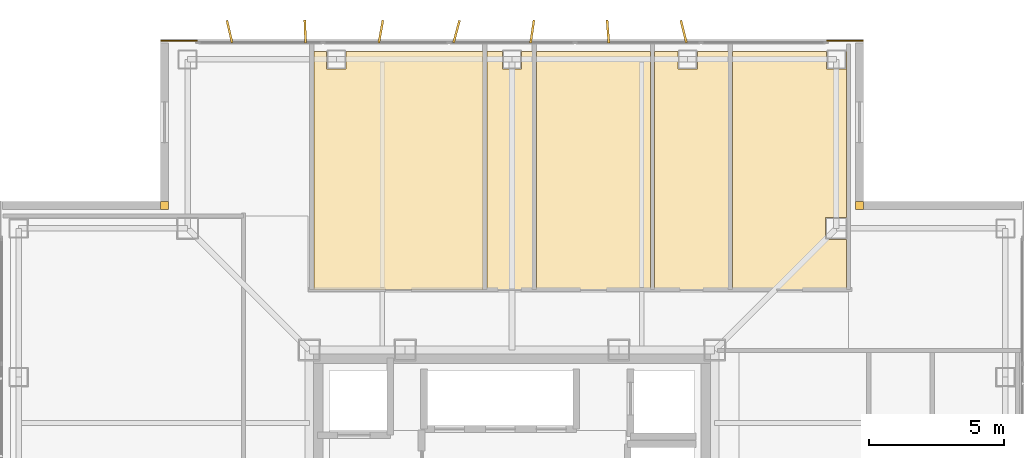
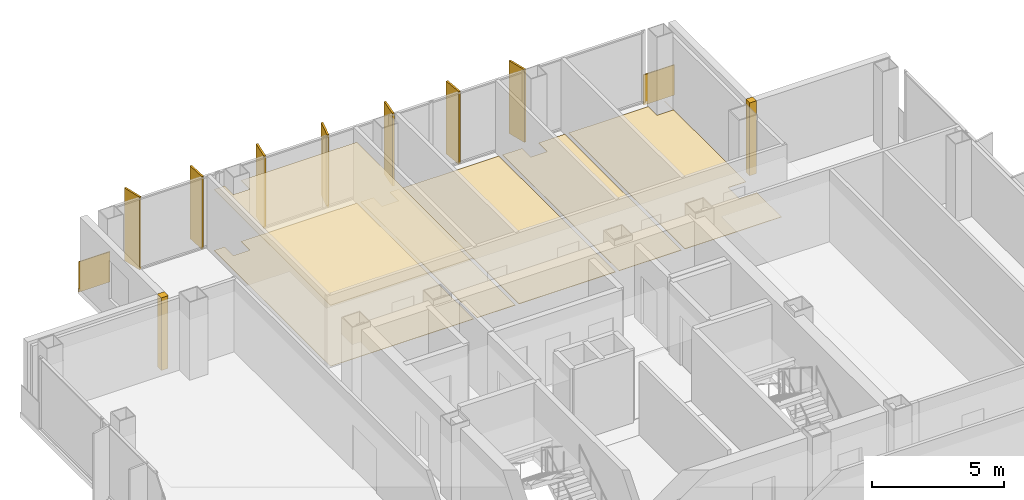
# One storey, part 15 of 15: 10 coverings, 7 shading devices.
"""IFC4 building model written with IfcOpenShell, lengths in metres."""

from ifc_helpers import new_model, si_unit, direction, frame, frame_2d, origin, origin_2d, place, context, subcontext, project, spatial, polyline, rectangle, outline, extrude, material, layer, layer_set, type_object, element, save


model = new_model("IFC4")

# Units and contexts
model_context = context("Model", 3, precision=1e-05, world=origin(), true_north=direction((0.0, 1.0)))
body_context = subcontext(model_context, "Body", "Model", "MODEL_VIEW")
ifc_project = project(units=[si_unit("LENGTHUNIT", "METRE"), si_unit("AREAUNIT", "SQUARE_METRE"), si_unit("VOLUMEUNIT", "CUBIC_METRE"), si_unit("PLANEANGLEUNIT", "RADIAN"), si_unit("MASSUNIT", "GRAM", prefix="KILO")], contexts=[model_context])

# Site, building, storey
site_placement = place(None, origin())
site = spatial("IfcSite", under=ifc_project, at=site_placement, CompositionType="ELEMENT")
building_placement = place(site_placement, origin())
building = spatial("IfcBuilding", under=site, at=building_placement, Name="Trevonay Congress Spire", CompositionType="ELEMENT")
storey_placement = place(building_placement, frame((0.0, 0.0, 272.0)))
storey = spatial("IfcBuildingStorey", under=building, at=storey_placement, Name="L71", CompositionType="ELEMENT", Elevation=272.0)

# Coverings
ifc_material_1 = material(Name="Acoustic Mineral Fibre Board", Category="gypsum")
ifc_layer_1 = layer(ifc_material_1, 0.02490234375, Name="Acoustic Mineral Fibre Board")
ifc_layer_set_1 = layer_set([ifc_layer_1], Name="Acoustic Mineral Fibre Board")
covering_type_1 = type_object("IfcCoveringType", Name="COV-CEIL-ACOUSTIC", PredefinedType="CEILING", material=ifc_layer_set_1)
covering_1_placement = place(storey_placement, frame((0.0, 0.0, 2.81005859375)))
element("IfcCovering", 1, at=covering_1_placement, inside=storey, type_object=covering_type_1, Name="L71 North Sky Conservatory Lounge acoustic suspended ceiling", PredefinedType="CEILING", context=body_context, shape_type="SweptSolid", body=[
    extrude(outline(polyline([(-1.080078125, 18.550048828125), (-1.080078125, 9.72998046875), (-7.320068359375, 9.72998046875), (-7.320068359375, 18.550048828125), (-6.860107421875, 18.550048828125), (-6.860107421875, 17.889892578125), (-6.139892578125, 17.889892578125), (-6.139892578125, 18.550048828125), (-1.080078125, 18.550048828125)])), origin(), (0.0, 0.0, 1.0), 0.02490234375),
])
ifc_material_2 = material(Name="Polished Granite Floor Tile", Category="masonry")
ifc_layer_2 = layer(ifc_material_2, 0.02001953125, Name="Polished Granite Floor Tile")
ifc_layer_set_2 = layer_set([ifc_layer_2], Name="Polished Granite Floor Tile")
covering_type_2 = type_object("IfcCoveringType", Name="COV-FLOOR-STONE", PredefinedType="FLOORING", material=ifc_layer_set_2)
covering_2_placement = place(storey_placement, origin())
element("IfcCovering", 2, at=covering_2_placement, inside=storey, type_object=covering_type_2, Name="L71 Accessible WC floor finish", PredefinedType="FLOORING", context=body_context, shape_type="SweptSolid", body=[
    extrude(outline(polyline([(0.75, 18.550048828125), (0.75, 9.72998046875), (-0.919921875, 9.72998046875), (-0.919921875, 18.550048828125), (-0.360107421875, 18.550048828125), (-0.360107421875, 17.889892578125), (0.360107421875, 17.889892578125), (0.360107421875, 18.550048828125), (0.75, 18.550048828125)])), origin(), (0.0, 0.0, 1.0), 0.02001953125),
])
covering_3_placement = place(storey_placement, origin())
element("IfcCovering", 3, at=covering_3_placement, inside=storey, type_object=covering_type_2, Name="L71 Floor Supplies and Copy Room floor finish", PredefinedType="FLOORING", context=body_context, shape_type="SweptSolid", body=[
    extrude(outline(polyline([(0.909912109375, 9.72998046875), (5.1201171875, 9.72998046875), (5.1201171875, 18.550048828125), (0.909912109375, 18.550048828125), (0.909912109375, 9.72998046875)])), origin(), (0.0, 0.0, 1.0), 0.02001953125),
])
covering_4_placement = place(storey_placement, origin())
element("IfcCovering", 4, at=covering_4_placement, inside=storey, type_object=covering_type_2, Name="L71 Female Restroom WC floor finish", PredefinedType="FLOORING", context=body_context, shape_type="SweptSolid", body=[
    extrude(outline(polyline([(8.0, 18.550048828125), (8.0, 9.72998046875), (5.280029296875, 9.72998046875), (5.280029296875, 18.550048828125), (6.139892578125, 18.550048828125), (6.139892578125, 17.889892578125), (6.860107421875, 17.889892578125), (6.860107421875, 18.550048828125), (8.0, 18.550048828125)])), origin(), (0.0, 0.0, 1.0), 0.02001953125),
])
covering_5_placement = place(storey_placement, origin())
element("IfcCovering", 5, at=covering_5_placement, inside=storey, type_object=covering_type_2, Name="L71 Floor Supplies and Copy Room floor finish", PredefinedType="FLOORING", context=body_context, shape_type="SweptSolid", body=[
    extrude(outline(polyline([(12.3701171875, 9.72998046875), (8.159912109375, 9.72998046875), (8.159912109375, 18.550048828125), (11.639892578125, 18.550048828125), (11.639892578125, 17.889892578125), (12.360107421875, 17.889892578125), (12.360107421875, 18.550048828125), (12.3701171875, 18.550048828125), (12.3701171875, 12.409912109375), (11.590087890625, 12.409912109375), (11.590087890625, 11.590087890625), (12.3701171875, 11.590087890625), (12.3701171875, 9.72998046875)])), origin(), (0.0, 0.0, 1.0), 0.02001953125),
])
ifc_material_3 = material(Name="Engineered Oak Flooring", Category="wood")
ifc_layer_3 = layer(ifc_material_3, 0.01806640625, Name="Engineered Oak Flooring")
ifc_layer_set_3 = layer_set([ifc_layer_3], Name="Engineered Oak Flooring")
covering_type_3 = type_object("IfcCoveringType", Name="COV-FLOOR-TIMBER", PredefinedType="FLOORING", material=ifc_layer_set_3)
covering_6_placement = place(storey_placement, origin())
element("IfcCovering", 6, at=covering_6_placement, inside=storey, type_object=covering_type_3, Name="L71 North Sky Conservatory Lounge floor finish", PredefinedType="FLOORING", context=body_context, shape_type="SweptSolid", body=[
    extrude(outline(polyline([(-1.080078125, 18.550048828125), (-1.080078125, 9.72998046875), (-7.320068359375, 9.72998046875), (-7.320068359375, 18.550048828125), (-6.860107421875, 18.550048828125), (-6.860107421875, 17.889892578125), (-6.139892578125, 17.889892578125), (-6.139892578125, 18.550048828125), (-1.080078125, 18.550048828125)])), origin(), (0.0, 0.0, 1.0), 0.01806640625),
])
ifc_material_4 = material(Name="Pale Anodised Aluminium EN AW-6063-T6", Category="aluminium")
ifc_layer_4 = layer(ifc_material_4, 0.0400390625, Name="Pale Anodised Aluminium EN AW-6063-T6")
ifc_layer_set_4 = layer_set([ifc_layer_4], Name="Pale Anodised Aluminium EN AW-6063-T6")
covering_type_4 = type_object("IfcCoveringType", Name="COV-SPANDREL-PALE-METAL", PredefinedType="CLADDING", material=ifc_layer_set_4)
covering_7_placement = place(storey_placement, origin())
element("IfcCovering", 7, at=covering_7_placement, inside=storey, type_object=covering_type_4, Name="L71 NE re-entrant notch corner closure trim", PredefinedType="CLADDING", context=body_context, shape_type="SweptSolid", body=[
    extrude(outline(polyline([(12.699951171875, 12.699951171875), (13.0, 12.699951171875), (13.0, 13.0), (12.699951171875, 13.0), (12.699951171875, 12.699951171875)])), origin(), (0.0, 0.0, 1.0), 3.360107421875),
])
covering_8_placement = place(storey_placement, frame((11.64990234375, 18.93994140625, -0.14990234375), z_axis=(0.0, 0.0, 1.0), x_axis=(1.0, 0.0, 0.0)))
element("IfcCovering", 8, at=covering_8_placement, inside=storey, type_object=covering_type_4, Name="L71 NE corner pier spandrel cladding 2", PredefinedType="CLADDING", context=body_context, shape_type="SweptSolid", body=[
    extrude(rectangle(XDim=1.35009765625, YDim=0.0400390625, at=frame_2d((0.675048828125, 0.0))), origin(), (0.0, 0.0, 1.0), 1.39990234375),
])
covering_9_placement = place(storey_placement, origin())
element("IfcCovering", 9, at=covering_9_placement, inside=storey, type_object=covering_type_4, Name="L71 NW re-entrant notch corner closure trim", PredefinedType="CLADDING", context=body_context, shape_type="SweptSolid", body=[
    extrude(outline(polyline([(-13.0, 12.699951171875), (-12.699951171875, 12.699951171875), (-12.699951171875, 13.0), (-13.0, 13.0), (-13.0, 12.699951171875)])), origin(), (0.0, 0.0, 1.0), 3.360107421875),
])
covering_10_placement = place(storey_placement, frame((-11.64990234375, 18.93994140625, -0.14990234375), z_axis=(0.0, 0.0, 1.0), x_axis=(-1.0, 0.0, 0.0)))
element("IfcCovering", 10, at=covering_10_placement, inside=storey, type_object=covering_type_4, Name="L71 NW corner pier spandrel cladding 2", PredefinedType="CLADDING", context=body_context, shape_type="SweptSolid", body=[
    extrude(rectangle(XDim=1.35009765625, YDim=0.0400390625, at=frame_2d((0.675048828125, 0.0))), origin(), (0.0, 0.0, 1.0), 1.39990234375),
])

# Shading devices
shading_device_type = type_object("IfcShadingDeviceType", Name="SHD-FIN-Z4-PALE-METAL", PredefinedType="USERDEFINED", material=ifc_material_4)
for number, where, z_axis, x_axis, name in (
    (11, (-10.449951171875, 19.280029296875, 0.0), (0.0, 0.0, 1.0), (0.97440931131, 0.224780991261, 0.0), "L71 N vertical pale-metal solar fin 1"),
    (12, (-7.64990234375, 19.280029296875, 0.0), (0.0, 0.0, 1.0), (0.999235873152, 0.039085416795, 0.0), "L71 N vertical pale-metal solar fin 2"),
    (13, (-4.85009765625, 19.280029296875, 0.0), (0.0, 0.0, 1.0), (0.984195607969, -0.17708474032, 0.0), "L71 N vertical pale-metal solar fin 3"),
    (14, (-2.050048828125, 19.280029296875, 0.0), (0.0, 0.0, 1.0), (0.966106280664, -0.258144638645, 0.0), "L71 N vertical pale-metal solar fin 4"),
    (15, (0.75, 19.280029296875, 0.0), (0.0, 0.0, 1.0), (0.989144474801, -0.146946275799, 0.0), "L71 N vertical pale-metal solar fin 5"),
    (16, (3.550048828125, 19.280029296875, 0.0), (0.0, 0.0, 1.0), (0.997025911491, 0.077067060513, 0.0), "L71 N vertical pale-metal solar fin 6"),
    (17, (6.35009765625, 19.280029296875, 0.0), (0.0, 0.0, 1.0), (0.970464383152, 0.241244442494, 0.0), "L71 N vertical pale-metal solar fin 7"),
):
    element("IfcShadingDevice", number, at=place(storey_placement, frame(where, z_axis=z_axis, x_axis=x_axis)), inside=storey, type_object=shading_device_type, Name=name, ObjectType="SOLAR FIN", PredefinedType="USERDEFINED", context=body_context, shape_type="SweptSolid", body=[
        extrude(rectangle(XDim=0.080078125, YDim=0.85009765625, at=origin_2d()), origin(), (0.0, 0.0, 1.0), 3.360107421875),
    ])

save(model, "model.ifc")
